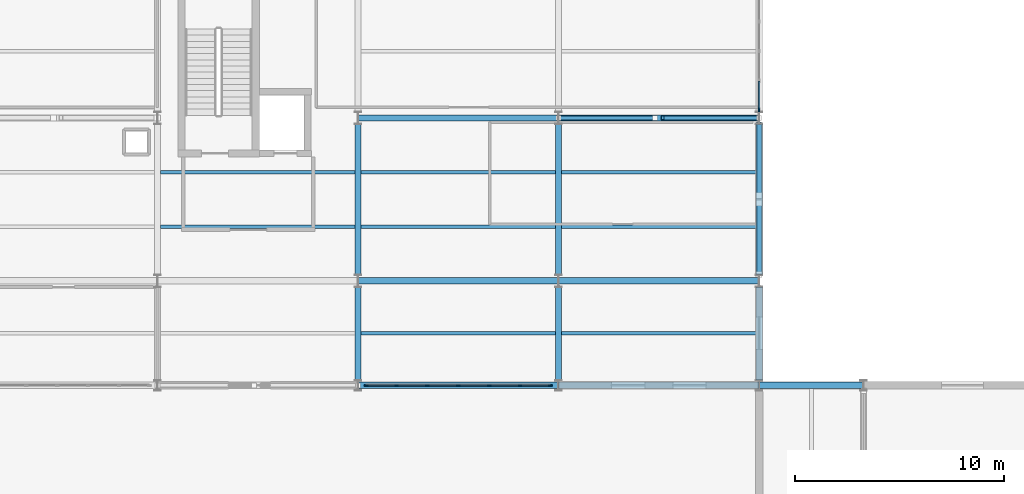
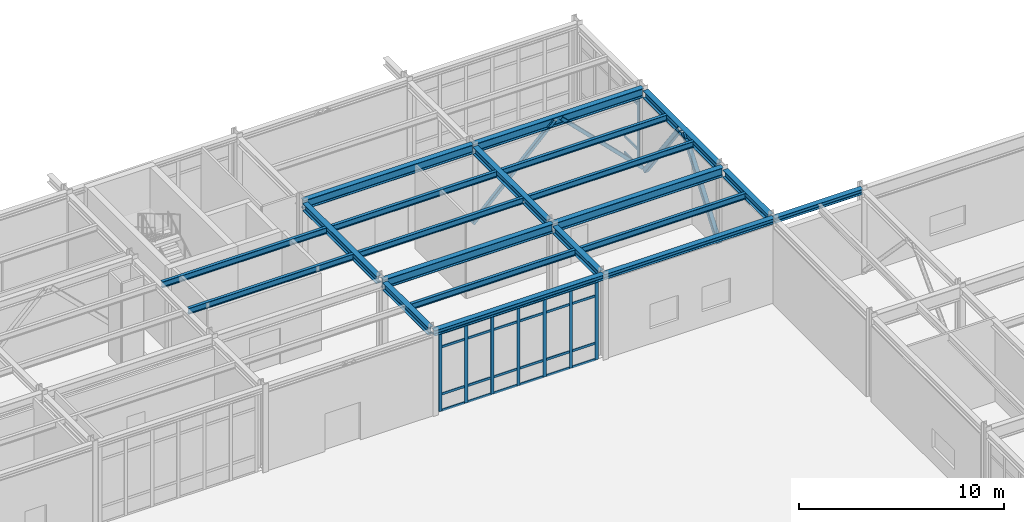
# One storey, part 61 of 109: 39 members, 21 beams, 2 elements without a shape of their own.
"""IFC4 building model written with IfcOpenShell, lengths in metres."""

from ifc_helpers import new_model, si_unit, direction, frame, origin, origin_2d, place, context, subcontext, project, spatial, rectangle, hollow_rectangle, i_section, extrude, material, layer, layer_set, material_profile, profile_set, type_object, element, aggregate, save


model = new_model("IFC4")

# Units and contexts
model_context = context("Model", 3, precision=1e-05, world=origin(), true_north=direction((0.0, 1.0)))
body_context = subcontext(model_context, "Body", "Model", "MODEL_VIEW")
ifc_project = project(units=[si_unit("LENGTHUNIT", "METRE"), si_unit("AREAUNIT", "SQUARE_METRE"), si_unit("VOLUMEUNIT", "CUBIC_METRE"), si_unit("PLANEANGLEUNIT", "RADIAN"), si_unit("MASSUNIT", "GRAM", prefix="KILO")], contexts=[model_context])

# Site, building, storey
site_placement = place(None, origin())
site = spatial("IfcSite", under=ifc_project, at=site_placement, CompositionType="ELEMENT")
building_placement = place(site_placement, origin())
building = spatial("IfcBuilding", under=site, at=building_placement, Name="Nordkorset Police Headquarters", CompositionType="ELEMENT")
storey_placement = place(building_placement, origin())
storey = spatial("IfcBuildingStorey", under=building, at=storey_placement, Name="L00", CompositionType="ELEMENT", Elevation=0.0)

# Beams
ifc_material_1 = material(Name="Steel S355J2", Category="steel")
ifc_material_profile_1 = material_profile(ifc_material_1, i_section(OverallWidth=0.169921875, OverallDepth=0.360107421875, WebThickness=0.008056640625, FlangeThickness=0.0126953125, FilletRadius=0.01806640625, at=origin_2d()), Name="IPE 360")
ifc_profile_set_1 = profile_set([ifc_material_profile_1], Name="Steel S355J2")
beam_type_1 = type_object("IfcBeamType", Name="Beam_IPE_360", PredefinedType="BEAM", material=ifc_profile_set_1)
for number, where, z_axis, x_axis, name in (
    (1, (57.75, 105.199951171875, 4.820068359375), (1.0, 0.0, 0.0), (0.0, 1.0, 0.0), "Composite Floor Beam V2 L00 3-1-1"),
    (2, (57.75, 107.800048828125, 4.820068359375), (1.0, 0.0, 0.0), (0.0, 1.0, 0.0), "Composite Floor Beam V2 L00 3-1-2"),
):
    element("IfcBeam", number, at=place(storey_placement, frame(where, z_axis=z_axis, x_axis=x_axis)), inside=storey, type_object=beam_type_1, Name=name, PredefinedType="BEAM", context=body_context, shape_type="SweptSolid", body=[
        extrude(i_section(OverallWidth=0.169921875, OverallDepth=0.360107421875, WebThickness=0.008056640625, FlangeThickness=0.0126953125, FilletRadius=0.01806640625, at=origin_2d()), origin(), (0.0, 0.0, 1.0), 9.300048828125),
    ])
for number, where, z_axis, x_axis, name in (
    (3, (67.35009765625, 100.10009765625, 4.820068359375), (1.0, 0.0, 0.0), (0.0, 1.0, 0.0), "Composite Floor Beam V2 L00 4-0-1"),
    (4, (67.35009765625, 105.199951171875, 4.820068359375), (1.0, 0.0, 0.0), (0.0, 1.0, 0.0), "Composite Floor Beam V2 L00 4-1-1"),
    (5, (67.35009765625, 107.800048828125, 4.820068359375), (1.0, 0.0, 0.0), (0.0, 1.0, 0.0), "Composite Floor Beam V2 L00 4-1-2"),
):
    element("IfcBeam", number, at=place(storey_placement, frame(where, z_axis=z_axis, x_axis=x_axis)), inside=storey, type_object=beam_type_1, Name=name, PredefinedType="BEAM", context=body_context, shape_type="SweptSolid", body=[
        extrude(i_section(OverallWidth=0.169921875, OverallDepth=0.360107421875, WebThickness=0.008056640625, FlangeThickness=0.0126953125, FilletRadius=0.01806640625, at=origin_2d()), origin(), (0.0, 0.0, 1.0), 9.2998046875),
    ])
for number, where, z_axis, x_axis, name in (
    (6, (76.949951171875, 100.10009765625, 4.820068359375), (1.0, 0.0, 0.0), (0.0, 1.0, 0.0), "Composite Floor Beam V2 L00 5-0-1"),
    (7, (76.949951171875, 105.199951171875, 4.820068359375), (1.0, 0.0, 0.0), (0.0, 1.0, 0.0), "Composite Floor Beam V2 L00 5-1-1"),
    (8, (76.949951171875, 107.800048828125, 4.820068359375), (1.0, 0.0, 0.0), (0.0, 1.0, 0.0), "Composite Floor Beam V2 L00 5-1-2"),
):
    element("IfcBeam", number, at=place(storey_placement, frame(where, z_axis=z_axis, x_axis=x_axis)), inside=storey, type_object=beam_type_1, Name=name, PredefinedType="BEAM", context=body_context, shape_type="SweptSolid", body=[
        extrude(i_section(OverallWidth=0.169921875, OverallDepth=0.360107421875, WebThickness=0.008056640625, FlangeThickness=0.0126953125, FilletRadius=0.01806640625, at=origin_2d()), origin(), (0.0, 0.0, 1.0), 9.300048828125),
    ])

# Members
ifc_material_2 = material(Name="Steel S355J2", Category="steel")
ifc_material_profile_2 = material_profile(ifc_material_2, hollow_rectangle(XDim=0.199951171875, YDim=0.199951171875, WallThickness=0.010009765625, InnerFilletRadius=0.010009765625, OuterFilletRadius=0.02001953125, at=origin_2d()), Name="SHS 200x200x10")
ifc_profile_set_2 = profile_set([ifc_material_profile_2], Name="Steel S355J2")
member_type_1 = type_object("IfcMemberType", Name="Brace_SHS_200x200x10", PredefinedType="BRACE", material=ifc_profile_set_2)
for number, where, z_axis, x_axis, name in (
    (9, (76.8076171875, 110.39990234375, 0.199951171875), (0.70958138841, 0.0, 0.704623483303), (0.0, 1.0, 0.0), "Lateral Chevron Brace BF-V2-B L00 D1"),
    (10, (86.392333984375, 110.39990234375, 0.199951171875), (-0.70958138841, 0.0, 0.704623483303), (0.0, -1.0, 0.0), "Lateral Chevron Brace BF-V2-B L00 D2"),
):
    element("IfcMember", number, at=place(storey_placement, frame(where, z_axis=z_axis, x_axis=x_axis)), inside=storey, type_object=member_type_1, Name=name, PredefinedType="BRACE", context=body_context, shape_type="SweptSolid", body=[
        extrude(hollow_rectangle(XDim=0.199951171875, YDim=0.199951171875, WallThickness=0.010009765625, InnerFilletRadius=0.010009765625, OuterFilletRadius=0.02001953125, at=origin_2d()), origin(), (0.0, 0.0, 1.0), 6.5),
    ])
ifc_material_3 = material(Name="Steel S355J2", Category="steel")
ifc_material_profile_3 = material_profile(ifc_material_3, hollow_rectangle(XDim=0.25, YDim=0.25, WallThickness=0.012451171875, InnerFilletRadius=0.012451171875, OuterFilletRadius=0.02490234375, at=origin_2d()), Name="SHS 250x250x12.5")
ifc_profile_set_3 = profile_set([ifc_material_profile_3], Name="Steel S355J2")
member_type_2 = type_object("IfcMemberType", Name="Brace_SHS_250x250x12.5", PredefinedType="BRACE", material=ifc_profile_set_3)
for number, where, z_axis, x_axis, name in (
    (11, (86.39990234375, 102.89990234375, 0.199951171875), (0.0, 0.598331279143, 0.801248825521), (-1.0, 0.0, 0.0), "Lateral Chevron Brace BF-EXT-V2E L00 D1"),
    (12, (86.39990234375, 110.10009765625, 0.199951171875), (0.0, -0.598331279143, 0.801248825521), (1.0, 0.0, 0.0), "Lateral Chevron Brace BF-EXT-V2E L00 D2"),
):
    element("IfcMember", number, at=place(storey_placement, frame(where, z_axis=z_axis, x_axis=x_axis)), inside=storey, type_object=member_type_2, Name=name, PredefinedType="BRACE", context=body_context, shape_type="SweptSolid", body=[
        extrude(hollow_rectangle(XDim=0.25, YDim=0.25, WallThickness=0.012451171875, InnerFilletRadius=0.012451171875, OuterFilletRadius=0.02490234375, at=origin_2d()), origin(), (0.0, 0.0, 1.0), 5.716064453125),
    ])

# Curtain wall, members
ifc_material_4 = material(Name="Aluminium alloy AW-6060", Category="aluminium")
ifc_layer_1 = layer(ifc_material_4, 0.179931640625, Name="Aluminium alloy AW-6060")
ifc_layer_set_1 = layer_set([ifc_layer_1], Name="Aluminium alloy AW-6060")
curtain_wall_type_1 = type_object("IfcCurtainWallType", Name="CW_Unit_888x467", PredefinedType="USERDEFINED", material=ifc_layer_set_1)
curtain_wall_1_placement = place(storey_placement, origin())
curtain_wall_1 = element("IfcCurtainWall", 13, at=curtain_wall_1_placement, inside=storey, type_object=curtain_wall_type_1, Name="Unitised Curtain Wall L00 V2S-4", ObjectType="UNITISED CURTAIN WALL", PredefinedType="USERDEFINED")
ifc_material_5 = material(Name="Aluminium alloy AW-6060", Category="aluminium")
ifc_material_profile_4 = material_profile(ifc_material_5, rectangle(XDim=0.06494140625, YDim=0.179931640625, at=origin_2d()), Name="ALU MULL 65x180")
ifc_profile_set_4 = profile_set([ifc_material_profile_4], Name="Aluminium alloy AW-6060")
member_type_3 = type_object("IfcMemberType", Name="CW_Mullion_65x180", PredefinedType="MULLION", material=ifc_profile_set_4)
member_1_placement = place(storey_placement, frame((67.592529296875, 97.60009765625, 0.0), z_axis=(0.0, 0.0, 1.0), x_axis=(0.0, 1.0, 0.0)))
member_1 = element("IfcMember", 14, at=member_1_placement, type_object=member_type_3, Name="CW-51 mullion 1", PredefinedType="MULLION", context=body_context, shape_type="SweptSolid", body=[
    extrude(rectangle(XDim=0.06494140625, YDim=0.179931640625, at=origin_2d()), origin(), (0.0, 0.0, 1.0), 4.669921875),
])
member_2_placement = place(storey_placement, frame((69.0400390625, 97.60009765625, 0.0), z_axis=(0.0, 0.0, 1.0), x_axis=(0.0, 1.0, 0.0)))
member_2 = element("IfcMember", 15, at=member_2_placement, type_object=member_type_3, Name="CW-51 mullion 2", PredefinedType="MULLION", context=body_context, shape_type="SweptSolid", body=[
    extrude(rectangle(XDim=0.06494140625, YDim=0.179931640625, at=origin_2d()), origin(), (0.0, 0.0, 1.0), 4.669921875),
])
member_3_placement = place(storey_placement, frame((70.52001953125, 97.60009765625, 0.0), z_axis=(0.0, 0.0, 1.0), x_axis=(0.0, 1.0, 0.0)))
member_3 = element("IfcMember", 16, at=member_3_placement, type_object=member_type_3, Name="CW-51 mullion 3", PredefinedType="MULLION", context=body_context, shape_type="SweptSolid", body=[
    extrude(rectangle(XDim=0.06494140625, YDim=0.179931640625, at=origin_2d()), origin(), (0.0, 0.0, 1.0), 4.669921875),
])
member_4_placement = place(storey_placement, frame((72.0, 97.60009765625, 0.0), z_axis=(0.0, 0.0, 1.0), x_axis=(0.0, 1.0, 0.0)))
member_4 = element("IfcMember", 17, at=member_4_placement, type_object=member_type_3, Name="CW-51 mullion 4", PredefinedType="MULLION", context=body_context, shape_type="SweptSolid", body=[
    extrude(rectangle(XDim=0.06494140625, YDim=0.179931640625, at=origin_2d()), origin(), (0.0, 0.0, 1.0), 4.669921875),
])
member_5_placement = place(storey_placement, frame((73.47998046875, 97.60009765625, 0.0), z_axis=(0.0, 0.0, 1.0), x_axis=(0.0, 1.0, 0.0)))
member_5 = element("IfcMember", 18, at=member_5_placement, type_object=member_type_3, Name="CW-51 mullion 5", PredefinedType="MULLION", context=body_context, shape_type="SweptSolid", body=[
    extrude(rectangle(XDim=0.06494140625, YDim=0.179931640625, at=origin_2d()), origin(), (0.0, 0.0, 1.0), 4.669921875),
])
member_6_placement = place(storey_placement, frame((74.9599609375, 97.60009765625, 0.0), z_axis=(0.0, 0.0, 1.0), x_axis=(0.0, 1.0, 0.0)))
member_6 = element("IfcMember", 19, at=member_6_placement, type_object=member_type_3, Name="CW-51 mullion 6", PredefinedType="MULLION", context=body_context, shape_type="SweptSolid", body=[
    extrude(rectangle(XDim=0.06494140625, YDim=0.179931640625, at=origin_2d()), origin(), (0.0, 0.0, 1.0), 4.669921875),
])
member_7_placement = place(storey_placement, frame((76.407470703125, 97.60009765625, 0.0), z_axis=(0.0, 0.0, 1.0), x_axis=(0.0, 1.0, 0.0)))
member_7 = element("IfcMember", 20, at=member_7_placement, type_object=member_type_3, Name="CW-51 mullion 7", PredefinedType="MULLION", context=body_context, shape_type="SweptSolid", body=[
    extrude(rectangle(XDim=0.06494140625, YDim=0.179931640625, at=origin_2d()), origin(), (0.0, 0.0, 1.0), 4.669921875),
])

# Curtain wall, member
ifc_material_6 = material(Name="Aluminium alloy AW-6060", Category="aluminium")
ifc_layer_2 = layer(ifc_material_6, 0.179931640625, Name="Aluminium alloy AW-6060")
ifc_layer_set_2 = layer_set([ifc_layer_2], Name="Aluminium alloy AW-6060")
curtain_wall_type_2 = type_object("IfcCurtainWallType", Name="CW_Unit_568x454", PredefinedType="USERDEFINED", material=ifc_layer_set_2)
curtain_wall_2_placement = place(storey_placement, origin())
curtain_wall_2 = element("IfcCurtainWall", 21, at=curtain_wall_2_placement, inside=storey, type_object=curtain_wall_type_2, Name="Unitised Curtain Wall L00 V2E-1", ObjectType="UNITISED CURTAIN WALL", PredefinedType="USERDEFINED")
member_8_placement = place(storey_placement, frame((86.39990234375, 110.79248046875, 0.0), z_axis=(0.0, 0.0, 1.0), x_axis=(-1.0, 0.0, 0.0)))
member_8 = element("IfcMember", 22, at=member_8_placement, type_object=member_type_3, Name="CW-56 mullion 1", PredefinedType="MULLION", context=body_context, shape_type="SweptSolid", body=[
    extrude(rectangle(XDim=0.06494140625, YDim=0.179931640625, at=origin_2d()), origin(), (0.0, 0.0, 1.0), 4.5400390625),
])

# Member
ifc_material_7 = material(Name="Aluminium alloy AW-6060", Category="aluminium")
ifc_material_profile_5 = material_profile(ifc_material_7, rectangle(XDim=0.06494140625, YDim=0.139892578125, at=origin_2d()), Name="ALU TRAN 65x140")
ifc_profile_set_5 = profile_set([ifc_material_profile_5], Name="Aluminium alloy AW-6060")
member_type_4 = type_object("IfcMemberType", Name="CW_Transom_65x140", PredefinedType="USERDEFINED", material=ifc_profile_set_5)
member_9_placement = place(storey_placement, frame((67.625, 97.60009765625, 0.032470703125), z_axis=(1.0, 0.0, 0.0), x_axis=(0.0, 1.0, 0.0)))
member_9 = element("IfcMember", 23, at=member_9_placement, type_object=member_type_4, Name="CW-51 transom 1.1", ObjectType="TRANSOM", PredefinedType="USERDEFINED", context=body_context, shape_type="SweptSolid", body=[
    extrude(rectangle(XDim=0.06494140625, YDim=0.139892578125, at=origin_2d()), origin(), (0.0, 0.0, 1.0), 1.382568359375),
])

member_10_placement = place(storey_placement, frame((67.625, 97.60009765625, 1.0), z_axis=(1.0, 0.0, 0.0), x_axis=(0.0, 1.0, 0.0)))
member_10 = element("IfcMember", 24, at=member_10_placement, type_object=member_type_4, Name="CW-51 transom 1.2", ObjectType="TRANSOM", PredefinedType="USERDEFINED", context=body_context, shape_type="SweptSolid", body=[
    extrude(rectangle(XDim=0.06494140625, YDim=0.139892578125, at=origin_2d()), origin(), (0.0, 0.0, 1.0), 1.382568359375),
])

member_11_placement = place(storey_placement, frame((67.625, 97.60009765625, 3.820068359375), z_axis=(1.0, 0.0, 0.0), x_axis=(0.0, 1.0, 0.0)))
member_11 = element("IfcMember", 25, at=member_11_placement, type_object=member_type_4, Name="CW-51 transom 1.3", ObjectType="TRANSOM", PredefinedType="USERDEFINED", context=body_context, shape_type="SweptSolid", body=[
    extrude(rectangle(XDim=0.06494140625, YDim=0.139892578125, at=origin_2d()), origin(), (0.0, 0.0, 1.0), 1.382568359375),
])

member_12_placement = place(storey_placement, frame((67.625, 97.60009765625, 4.637451171875), z_axis=(1.0, 0.0, 0.0), x_axis=(0.0, 1.0, 0.0)))
member_12 = element("IfcMember", 26, at=member_12_placement, type_object=member_type_4, Name="CW-51 transom 1.4", ObjectType="TRANSOM", PredefinedType="USERDEFINED", context=body_context, shape_type="SweptSolid", body=[
    extrude(rectangle(XDim=0.06494140625, YDim=0.139892578125, at=origin_2d()), origin(), (0.0, 0.0, 1.0), 1.382568359375),
])

member_13_placement = place(storey_placement, frame((69.072509765625, 97.60009765625, 0.032470703125), z_axis=(1.0, 0.0, 0.0), x_axis=(0.0, 1.0, 0.0)))
member_13 = element("IfcMember", 27, at=member_13_placement, type_object=member_type_4, Name="CW-51 transom 2.1", ObjectType="TRANSOM", PredefinedType="USERDEFINED", context=body_context, shape_type="SweptSolid", body=[
    extrude(rectangle(XDim=0.06494140625, YDim=0.139892578125, at=origin_2d()), origin(), (0.0, 0.0, 1.0), 1.4150390625),
])

member_14_placement = place(storey_placement, frame((69.072509765625, 97.60009765625, 1.0), z_axis=(1.0, 0.0, 0.0), x_axis=(0.0, 1.0, 0.0)))
member_14 = element("IfcMember", 28, at=member_14_placement, type_object=member_type_4, Name="CW-51 transom 2.2", ObjectType="TRANSOM", PredefinedType="USERDEFINED", context=body_context, shape_type="SweptSolid", body=[
    extrude(rectangle(XDim=0.06494140625, YDim=0.139892578125, at=origin_2d()), origin(), (0.0, 0.0, 1.0), 1.4150390625),
])

member_15_placement = place(storey_placement, frame((69.072509765625, 97.60009765625, 3.820068359375), z_axis=(1.0, 0.0, 0.0), x_axis=(0.0, 1.0, 0.0)))
member_15 = element("IfcMember", 29, at=member_15_placement, type_object=member_type_4, Name="CW-51 transom 2.3", ObjectType="TRANSOM", PredefinedType="USERDEFINED", context=body_context, shape_type="SweptSolid", body=[
    extrude(rectangle(XDim=0.06494140625, YDim=0.139892578125, at=origin_2d()), origin(), (0.0, 0.0, 1.0), 1.4150390625),
])

member_16_placement = place(storey_placement, frame((69.072509765625, 97.60009765625, 4.637451171875), z_axis=(1.0, 0.0, 0.0), x_axis=(0.0, 1.0, 0.0)))
member_16 = element("IfcMember", 30, at=member_16_placement, type_object=member_type_4, Name="CW-51 transom 2.4", ObjectType="TRANSOM", PredefinedType="USERDEFINED", context=body_context, shape_type="SweptSolid", body=[
    extrude(rectangle(XDim=0.06494140625, YDim=0.139892578125, at=origin_2d()), origin(), (0.0, 0.0, 1.0), 1.4150390625),
])

member_17_placement = place(storey_placement, frame((70.552490234375, 97.60009765625, 0.032470703125), z_axis=(1.0, 0.0, 0.0), x_axis=(0.0, 1.0, 0.0)))
member_17 = element("IfcMember", 31, at=member_17_placement, type_object=member_type_4, Name="CW-51 transom 3.1", ObjectType="TRANSOM", PredefinedType="USERDEFINED", context=body_context, shape_type="SweptSolid", body=[
    extrude(rectangle(XDim=0.06494140625, YDim=0.139892578125, at=origin_2d()), origin(), (0.0, 0.0, 1.0), 1.4150390625),
])

member_18_placement = place(storey_placement, frame((70.552490234375, 97.60009765625, 1.0), z_axis=(1.0, 0.0, 0.0), x_axis=(0.0, 1.0, 0.0)))
member_18 = element("IfcMember", 32, at=member_18_placement, type_object=member_type_4, Name="CW-51 transom 3.2", ObjectType="TRANSOM", PredefinedType="USERDEFINED", context=body_context, shape_type="SweptSolid", body=[
    extrude(rectangle(XDim=0.06494140625, YDim=0.139892578125, at=origin_2d()), origin(), (0.0, 0.0, 1.0), 1.4150390625),
])

member_19_placement = place(storey_placement, frame((70.552490234375, 97.60009765625, 3.820068359375), z_axis=(1.0, 0.0, 0.0), x_axis=(0.0, 1.0, 0.0)))
member_19 = element("IfcMember", 33, at=member_19_placement, type_object=member_type_4, Name="CW-51 transom 3.3", ObjectType="TRANSOM", PredefinedType="USERDEFINED", context=body_context, shape_type="SweptSolid", body=[
    extrude(rectangle(XDim=0.06494140625, YDim=0.139892578125, at=origin_2d()), origin(), (0.0, 0.0, 1.0), 1.4150390625),
])

member_20_placement = place(storey_placement, frame((70.552490234375, 97.60009765625, 4.637451171875), z_axis=(1.0, 0.0, 0.0), x_axis=(0.0, 1.0, 0.0)))
member_20 = element("IfcMember", 34, at=member_20_placement, type_object=member_type_4, Name="CW-51 transom 3.4", ObjectType="TRANSOM", PredefinedType="USERDEFINED", context=body_context, shape_type="SweptSolid", body=[
    extrude(rectangle(XDim=0.06494140625, YDim=0.139892578125, at=origin_2d()), origin(), (0.0, 0.0, 1.0), 1.4150390625),
])

member_21_placement = place(storey_placement, frame((72.032470703125, 97.60009765625, 0.032470703125), z_axis=(1.0, 0.0, 0.0), x_axis=(0.0, 1.0, 0.0)))
member_21 = element("IfcMember", 35, at=member_21_placement, type_object=member_type_4, Name="CW-51 transom 4.1", ObjectType="TRANSOM", PredefinedType="USERDEFINED", context=body_context, shape_type="SweptSolid", body=[
    extrude(rectangle(XDim=0.06494140625, YDim=0.139892578125, at=origin_2d()), origin(), (0.0, 0.0, 1.0), 1.4150390625),
])

member_22_placement = place(storey_placement, frame((72.032470703125, 97.60009765625, 1.0), z_axis=(1.0, 0.0, 0.0), x_axis=(0.0, 1.0, 0.0)))
member_22 = element("IfcMember", 36, at=member_22_placement, type_object=member_type_4, Name="CW-51 transom 4.2", ObjectType="TRANSOM", PredefinedType="USERDEFINED", context=body_context, shape_type="SweptSolid", body=[
    extrude(rectangle(XDim=0.06494140625, YDim=0.139892578125, at=origin_2d()), origin(), (0.0, 0.0, 1.0), 1.4150390625),
])

member_23_placement = place(storey_placement, frame((72.032470703125, 97.60009765625, 3.820068359375), z_axis=(1.0, 0.0, 0.0), x_axis=(0.0, 1.0, 0.0)))
member_23 = element("IfcMember", 37, at=member_23_placement, type_object=member_type_4, Name="CW-51 transom 4.3", ObjectType="TRANSOM", PredefinedType="USERDEFINED", context=body_context, shape_type="SweptSolid", body=[
    extrude(rectangle(XDim=0.06494140625, YDim=0.139892578125, at=origin_2d()), origin(), (0.0, 0.0, 1.0), 1.4150390625),
])

member_24_placement = place(storey_placement, frame((72.032470703125, 97.60009765625, 4.637451171875), z_axis=(1.0, 0.0, 0.0), x_axis=(0.0, 1.0, 0.0)))
member_24 = element("IfcMember", 38, at=member_24_placement, type_object=member_type_4, Name="CW-51 transom 4.4", ObjectType="TRANSOM", PredefinedType="USERDEFINED", context=body_context, shape_type="SweptSolid", body=[
    extrude(rectangle(XDim=0.06494140625, YDim=0.139892578125, at=origin_2d()), origin(), (0.0, 0.0, 1.0), 1.4150390625),
])

member_25_placement = place(storey_placement, frame((73.512451171875, 97.60009765625, 0.032470703125), z_axis=(1.0, 0.0, 0.0), x_axis=(0.0, 1.0, 0.0)))
member_25 = element("IfcMember", 39, at=member_25_placement, type_object=member_type_4, Name="CW-51 transom 5.1", ObjectType="TRANSOM", PredefinedType="USERDEFINED", context=body_context, shape_type="SweptSolid", body=[
    extrude(rectangle(XDim=0.06494140625, YDim=0.139892578125, at=origin_2d()), origin(), (0.0, 0.0, 1.0), 1.4150390625),
])

member_26_placement = place(storey_placement, frame((73.512451171875, 97.60009765625, 1.0), z_axis=(1.0, 0.0, 0.0), x_axis=(0.0, 1.0, 0.0)))
member_26 = element("IfcMember", 40, at=member_26_placement, type_object=member_type_4, Name="CW-51 transom 5.2", ObjectType="TRANSOM", PredefinedType="USERDEFINED", context=body_context, shape_type="SweptSolid", body=[
    extrude(rectangle(XDim=0.06494140625, YDim=0.139892578125, at=origin_2d()), origin(), (0.0, 0.0, 1.0), 1.4150390625),
])

member_27_placement = place(storey_placement, frame((73.512451171875, 97.60009765625, 3.820068359375), z_axis=(1.0, 0.0, 0.0), x_axis=(0.0, 1.0, 0.0)))
member_27 = element("IfcMember", 41, at=member_27_placement, type_object=member_type_4, Name="CW-51 transom 5.3", ObjectType="TRANSOM", PredefinedType="USERDEFINED", context=body_context, shape_type="SweptSolid", body=[
    extrude(rectangle(XDim=0.06494140625, YDim=0.139892578125, at=origin_2d()), origin(), (0.0, 0.0, 1.0), 1.4150390625),
])

member_28_placement = place(storey_placement, frame((73.512451171875, 97.60009765625, 4.637451171875), z_axis=(1.0, 0.0, 0.0), x_axis=(0.0, 1.0, 0.0)))
member_28 = element("IfcMember", 42, at=member_28_placement, type_object=member_type_4, Name="CW-51 transom 5.4", ObjectType="TRANSOM", PredefinedType="USERDEFINED", context=body_context, shape_type="SweptSolid", body=[
    extrude(rectangle(XDim=0.06494140625, YDim=0.139892578125, at=origin_2d()), origin(), (0.0, 0.0, 1.0), 1.4150390625),
])

member_29_placement = place(storey_placement, frame((74.992431640625, 97.60009765625, 0.032470703125), z_axis=(1.0, 0.0, 0.0), x_axis=(0.0, 1.0, 0.0)))
member_29 = element("IfcMember", 43, at=member_29_placement, type_object=member_type_4, Name="CW-51 transom 6.1", ObjectType="TRANSOM", PredefinedType="USERDEFINED", context=body_context, shape_type="SweptSolid", body=[
    extrude(rectangle(XDim=0.06494140625, YDim=0.139892578125, at=origin_2d()), origin(), (0.0, 0.0, 1.0), 1.382568359375),
])

member_30_placement = place(storey_placement, frame((74.992431640625, 97.60009765625, 1.0), z_axis=(1.0, 0.0, 0.0), x_axis=(0.0, 1.0, 0.0)))
member_30 = element("IfcMember", 44, at=member_30_placement, type_object=member_type_4, Name="CW-51 transom 6.2", ObjectType="TRANSOM", PredefinedType="USERDEFINED", context=body_context, shape_type="SweptSolid", body=[
    extrude(rectangle(XDim=0.06494140625, YDim=0.139892578125, at=origin_2d()), origin(), (0.0, 0.0, 1.0), 1.382568359375),
])

member_31_placement = place(storey_placement, frame((74.992431640625, 97.60009765625, 3.820068359375), z_axis=(1.0, 0.0, 0.0), x_axis=(0.0, 1.0, 0.0)))
member_31 = element("IfcMember", 45, at=member_31_placement, type_object=member_type_4, Name="CW-51 transom 6.3", ObjectType="TRANSOM", PredefinedType="USERDEFINED", context=body_context, shape_type="SweptSolid", body=[
    extrude(rectangle(XDim=0.06494140625, YDim=0.139892578125, at=origin_2d()), origin(), (0.0, 0.0, 1.0), 1.382568359375),
])

member_32_placement = place(storey_placement, frame((74.992431640625, 97.60009765625, 4.637451171875), z_axis=(1.0, 0.0, 0.0), x_axis=(0.0, 1.0, 0.0)))
member_32 = element("IfcMember", 46, at=member_32_placement, type_object=member_type_4, Name="CW-51 transom 6.4", ObjectType="TRANSOM", PredefinedType="USERDEFINED", context=body_context, shape_type="SweptSolid", body=[
    extrude(rectangle(XDim=0.06494140625, YDim=0.139892578125, at=origin_2d()), origin(), (0.0, 0.0, 1.0), 1.382568359375),
])

aggregate(curtain_wall_1, [member_1, member_2, member_3, member_4, member_5, member_6, member_7, member_9, member_10, member_11, member_12, member_13, member_14, member_15, member_16, member_17, member_18, member_19, member_20, member_21, member_22, member_23, member_24, member_25, member_26, member_27, member_28, member_29, member_30, member_31, member_32])

member_33_placement = place(storey_placement, frame((86.39990234375, 110.824951171875, 0.032470703125), z_axis=(0.0, 1.0, 0.0), x_axis=(-1.0, 0.0, 0.0)))
member_33 = element("IfcMember", 47, at=member_33_placement, type_object=member_type_4, Name="CW-56 transom 1.1", ObjectType="TRANSOM", PredefinedType="USERDEFINED", context=body_context, shape_type="SweptSolid", body=[
    extrude(rectangle(XDim=0.06494140625, YDim=0.139892578125, at=origin_2d()), origin(), (0.0, 0.0, 1.0), 1.322509765625),
])

member_34_placement = place(storey_placement, frame((86.39990234375, 110.824951171875, 1.0), z_axis=(0.0, 1.0, 0.0), x_axis=(-1.0, 0.0, 0.0)))
member_34 = element("IfcMember", 48, at=member_34_placement, type_object=member_type_4, Name="CW-56 transom 1.2", ObjectType="TRANSOM", PredefinedType="USERDEFINED", context=body_context, shape_type="SweptSolid", body=[
    extrude(rectangle(XDim=0.06494140625, YDim=0.139892578125, at=origin_2d()), origin(), (0.0, 0.0, 1.0), 1.322509765625),
])

member_35_placement = place(storey_placement, frame((86.39990234375, 110.824951171875, 3.68994140625), z_axis=(0.0, 1.0, 0.0), x_axis=(-1.0, 0.0, 0.0)))
member_35 = element("IfcMember", 49, at=member_35_placement, type_object=member_type_4, Name="CW-56 transom 1.3", ObjectType="TRANSOM", PredefinedType="USERDEFINED", context=body_context, shape_type="SweptSolid", body=[
    extrude(rectangle(XDim=0.06494140625, YDim=0.139892578125, at=origin_2d()), origin(), (0.0, 0.0, 1.0), 1.322509765625),
])

aggregate(curtain_wall_2, [member_8, member_33, member_34, member_35])

# Beams
ifc_material_8 = material(Name="Steel S355J2", Category="steel")
ifc_material_profile_6 = material_profile(ifc_material_8, i_section(OverallWidth=0.300048828125, OverallDepth=0.43994140625, WebThickness=0.011474609375, FlangeThickness=0.02099609375, FilletRadius=0.027099609375, at=origin_2d()), Name="HEA 450")
ifc_profile_set_6 = profile_set([ifc_material_profile_6], Name="Steel S355J2")
beam_type_2 = type_object("IfcBeamType", Name="Girder_HEA_450", PredefinedType="USERDEFINED", material=ifc_profile_set_6)
beam_1_placement = place(storey_placement, frame((67.199951171875, 97.85009765625, 4.780029296875), z_axis=(0.0, 1.0, 0.0), x_axis=(-1.0, 0.0, 0.0)))
element("IfcBeam", 50, at=beam_1_placement, inside=storey, type_object=beam_type_2, Name="Girder V2 L00 GY-4-0", ObjectType="GIRDER", PredefinedType="USERDEFINED", context=body_context, shape_type="SweptSolid", body=[
    extrude(i_section(OverallWidth=0.300048828125, OverallDepth=0.43994140625, WebThickness=0.011474609375, FlangeThickness=0.02099609375, FilletRadius=0.027099609375, at=origin_2d()), origin(), (0.0, 0.0, 1.0), 4.449951171875),
])
beam_2_placement = place(storey_placement, frame((67.199951171875, 102.89990234375, 4.780029296875), z_axis=(0.0, 1.0, 0.0), x_axis=(-1.0, 0.0, 0.0)))
element("IfcBeam", 51, at=beam_2_placement, inside=storey, type_object=beam_type_2, Name="Girder V2 L00 GY-4-1", ObjectType="GIRDER", PredefinedType="USERDEFINED", context=body_context, shape_type="SweptSolid", body=[
    extrude(i_section(OverallWidth=0.300048828125, OverallDepth=0.43994140625, WebThickness=0.011474609375, FlangeThickness=0.02099609375, FilletRadius=0.027099609375, at=origin_2d()), origin(), (0.0, 0.0, 1.0), 7.2001953125),
])
beam_3_placement = place(storey_placement, frame((76.800048828125, 97.85009765625, 4.780029296875), z_axis=(0.0, 1.0, 0.0), x_axis=(-1.0, 0.0, 0.0)))
element("IfcBeam", 52, at=beam_3_placement, inside=storey, type_object=beam_type_2, Name="Girder V2 L00 GY-5-0", ObjectType="GIRDER", PredefinedType="USERDEFINED", context=body_context, shape_type="SweptSolid", body=[
    extrude(i_section(OverallWidth=0.300048828125, OverallDepth=0.43994140625, WebThickness=0.011474609375, FlangeThickness=0.02099609375, FilletRadius=0.027099609375, at=origin_2d()), origin(), (0.0, 0.0, 1.0), 4.449951171875),
])
beam_4_placement = place(storey_placement, frame((76.800048828125, 102.89990234375, 4.780029296875), z_axis=(0.0, 1.0, 0.0), x_axis=(-1.0, 0.0, 0.0)))
element("IfcBeam", 53, at=beam_4_placement, inside=storey, type_object=beam_type_2, Name="Girder V2 L00 GY-5-1", ObjectType="GIRDER", PredefinedType="USERDEFINED", context=body_context, shape_type="SweptSolid", body=[
    extrude(i_section(OverallWidth=0.300048828125, OverallDepth=0.43994140625, WebThickness=0.011474609375, FlangeThickness=0.02099609375, FilletRadius=0.027099609375, at=origin_2d()), origin(), (0.0, 0.0, 1.0), 7.2001953125),
])
beam_5_placement = place(storey_placement, frame((86.39990234375, 97.85009765625, 4.780029296875), z_axis=(0.0, 1.0, 0.0), x_axis=(-1.0, 0.0, 0.0)))
element("IfcBeam", 54, at=beam_5_placement, inside=storey, type_object=beam_type_2, Name="Girder V2 L00 GY-6-0", ObjectType="GIRDER", PredefinedType="USERDEFINED", context=body_context, shape_type="SweptSolid", body=[
    extrude(i_section(OverallWidth=0.300048828125, OverallDepth=0.43994140625, WebThickness=0.011474609375, FlangeThickness=0.02099609375, FilletRadius=0.027099609375, at=origin_2d()), origin(), (0.0, 0.0, 1.0), 4.449951171875),
])
beam_6_placement = place(storey_placement, frame((86.39990234375, 102.89990234375, 4.780029296875), z_axis=(0.0, 1.0, 0.0), x_axis=(-1.0, 0.0, 0.0)))
element("IfcBeam", 55, at=beam_6_placement, inside=storey, type_object=beam_type_2, Name="Girder V2 L00 GY-6-1", ObjectType="GIRDER", PredefinedType="USERDEFINED", context=body_context, shape_type="SweptSolid", body=[
    extrude(i_section(OverallWidth=0.300048828125, OverallDepth=0.43994140625, WebThickness=0.011474609375, FlangeThickness=0.02099609375, FilletRadius=0.027099609375, at=origin_2d()), origin(), (0.0, 0.0, 1.0), 7.2001953125),
])
ifc_material_9 = material(Name="Steel S355J2", Category="steel")
ifc_material_profile_7 = material_profile(ifc_material_9, i_section(OverallWidth=0.300048828125, OverallDepth=0.5400390625, WebThickness=0.012451171875, FlangeThickness=0.02392578125, FilletRadius=0.027099609375, at=origin_2d()), Name="HEA 550")
ifc_profile_set_7 = profile_set([ifc_material_profile_7], Name="Steel S355J2")
beam_type_3 = type_object("IfcBeamType", Name="Girder_HEA_550", PredefinedType="USERDEFINED", material=ifc_profile_set_7)
beam_7_placement = place(storey_placement, frame((67.207763671875, 102.60009765625, 4.72998046875), z_axis=(1.0, 0.0, 0.0), x_axis=(0.0, 1.0, 0.0)))
element("IfcBeam", 56, at=beam_7_placement, inside=storey, type_object=beam_type_3, Name="Girder V2 L00 GX-1-4", ObjectType="GIRDER", PredefinedType="USERDEFINED", context=body_context, shape_type="SweptSolid", body=[
    extrude(i_section(OverallWidth=0.300048828125, OverallDepth=0.5400390625, WebThickness=0.012451171875, FlangeThickness=0.02392578125, FilletRadius=0.027099609375, at=origin_2d()), origin(), (0.0, 0.0, 1.0), 9.58447265625),
])
beam_8_placement = place(storey_placement, frame((76.8076171875, 102.60009765625, 4.72998046875), z_axis=(1.0, 0.0, 0.0), x_axis=(0.0, 1.0, 0.0)))
element("IfcBeam", 57, at=beam_8_placement, inside=storey, type_object=beam_type_3, Name="Girder V2 L00 GX-1-5", ObjectType="GIRDER", PredefinedType="USERDEFINED", context=body_context, shape_type="SweptSolid", body=[
    extrude(i_section(OverallWidth=0.300048828125, OverallDepth=0.5400390625, WebThickness=0.012451171875, FlangeThickness=0.02392578125, FilletRadius=0.027099609375, at=origin_2d()), origin(), (0.0, 0.0, 1.0), 9.584716796875),
])
beam_9_placement = place(storey_placement, frame((67.207763671875, 110.39990234375, 4.72998046875), z_axis=(1.0, 0.0, 0.0), x_axis=(0.0, 1.0, 0.0)))
element("IfcBeam", 58, at=beam_9_placement, inside=storey, type_object=beam_type_3, Name="Girder V2 L00 GX-2-4", ObjectType="GIRDER", PredefinedType="USERDEFINED", context=body_context, shape_type="SweptSolid", body=[
    extrude(i_section(OverallWidth=0.300048828125, OverallDepth=0.5400390625, WebThickness=0.012451171875, FlangeThickness=0.02392578125, FilletRadius=0.027099609375, at=origin_2d()), origin(), (0.0, 0.0, 1.0), 9.58447265625),
])
beam_10_placement = place(storey_placement, frame((76.8076171875, 110.39990234375, 4.72998046875), z_axis=(1.0, 0.0, 0.0), x_axis=(0.0, 1.0, 0.0)))
element("IfcBeam", 59, at=beam_10_placement, inside=storey, type_object=beam_type_3, Name="Girder V2 L00 GX-2-5", ObjectType="GIRDER", PredefinedType="USERDEFINED", context=body_context, shape_type="SweptSolid", body=[
    extrude(i_section(OverallWidth=0.300048828125, OverallDepth=0.5400390625, WebThickness=0.012451171875, FlangeThickness=0.02392578125, FilletRadius=0.027099609375, at=origin_2d()), origin(), (0.0, 0.0, 1.0), 9.584716796875),
])
ifc_material_10 = material(Name="Steel S355J2", Category="steel")
ifc_material_profile_8 = material_profile(ifc_material_10, i_section(OverallWidth=0.300048828125, OverallDepth=0.31005859375, WebThickness=0.009033203125, FlangeThickness=0.015380859375, FilletRadius=0.027099609375, at=origin_2d()), Name="HEA 320")
ifc_profile_set_8 = profile_set([ifc_material_profile_8], Name="Steel S355J2")
beam_type_4 = type_object("IfcBeamType", Name="Spandrel_HEA_320", PredefinedType="SPANDREL", material=ifc_profile_set_8)
beam_11_placement = place(storey_placement, frame((67.207275390625, 97.60009765625, 4.844970703125), z_axis=(1.0, 0.0, 0.0), x_axis=(0.0, 1.0, 0.0)))
element("IfcBeam", 60, at=beam_11_placement, inside=storey, type_object=beam_type_4, Name="Girder V2 L00 GX-0-4", PredefinedType="SPANDREL", context=body_context, shape_type="SweptSolid", body=[
    extrude(i_section(OverallWidth=0.300048828125, OverallDepth=0.31005859375, WebThickness=0.009033203125, FlangeThickness=0.015380859375, FilletRadius=0.027099609375, at=origin_2d()), origin(), (0.0, 0.0, 1.0), 9.58544921875),
])
beam_12_placement = place(storey_placement, frame((76.807373046875, 97.60009765625, 4.844970703125), z_axis=(1.0, 0.0, 0.0), x_axis=(0.0, 1.0, 0.0)))
element("IfcBeam", 61, at=beam_12_placement, inside=storey, type_object=beam_type_4, Name="Girder V2 L00 GX-0-5", PredefinedType="SPANDREL", context=body_context, shape_type="SweptSolid", body=[
    extrude(i_section(OverallWidth=0.300048828125, OverallDepth=0.31005859375, WebThickness=0.009033203125, FlangeThickness=0.015380859375, FilletRadius=0.027099609375, at=origin_2d()), origin(), (0.0, 0.0, 1.0), 9.585205078125),
])
beam_13_placement = place(storey_placement, frame((86.4072265625, 97.60009765625, 4.844970703125), z_axis=(1.0, 0.0, 0.0), x_axis=(0.0, 1.0, 0.0)))
element("IfcBeam", 62, at=beam_13_placement, inside=storey, type_object=beam_type_4, Name="Girder V5 L00 GX-5-0", PredefinedType="SPANDREL", context=body_context, shape_type="SweptSolid", body=[
    extrude(i_section(OverallWidth=0.300048828125, OverallDepth=0.31005859375, WebThickness=0.009033203125, FlangeThickness=0.015380859375, FilletRadius=0.027099609375, at=origin_2d()), origin(), (0.0, 0.0, 1.0), 4.9853515625),
])

save(model, "model.ifc")
